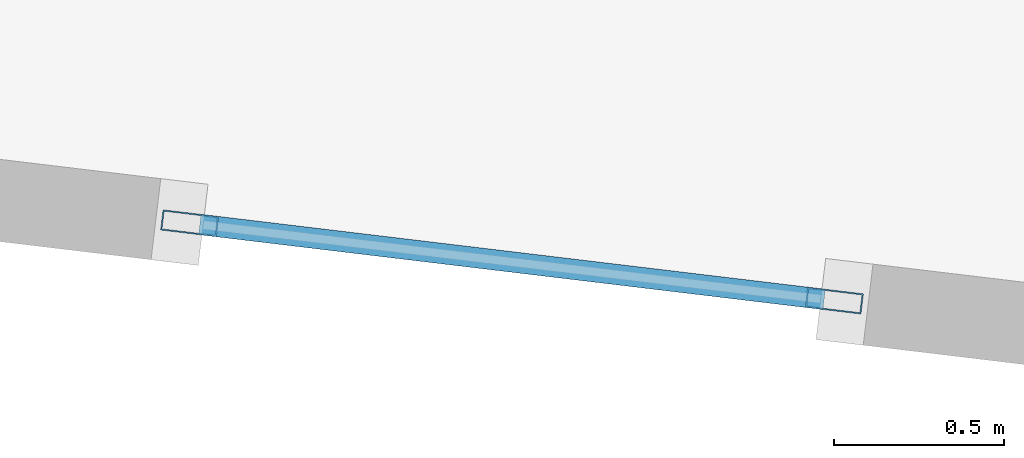
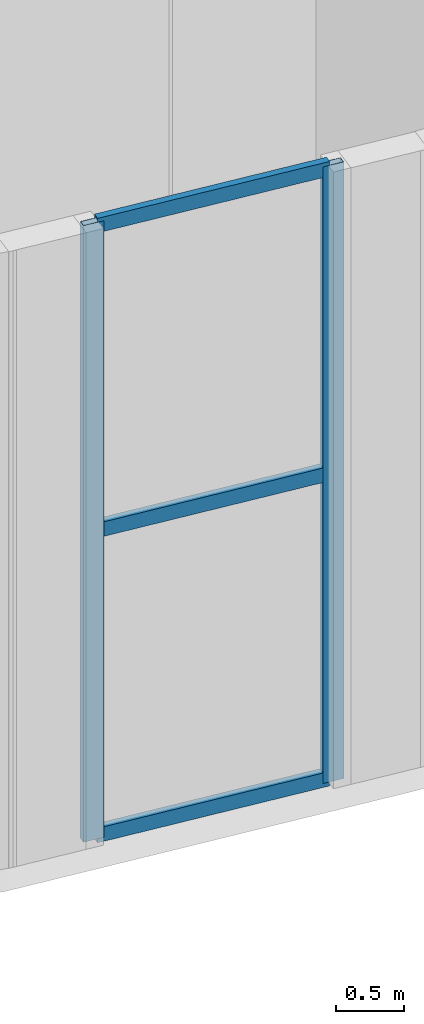
# One storey, part 2 of 16: 5 members, 1 element without a shape of its own.
"""IFC4 building model written with IfcOpenShell, lengths in metres."""

from ifc_helpers import new_model, si_unit, direction, frame, origin, origin_2d, place, context, subcontext, project, spatial, hollow_rectangle, extrude, material, layer, layer_set, material_profile, profile_set, type_object, element, aggregate, save


model = new_model("IFC4")

# Units and contexts
model_context = context("Model", 3, precision=1e-05, world=origin(), true_north=direction((0.0, 1.0)))
body_context = subcontext(model_context, "Body", "Model", "MODEL_VIEW")
ifc_project = project(units=[si_unit("LENGTHUNIT", "METRE"), si_unit("AREAUNIT", "SQUARE_METRE"), si_unit("VOLUMEUNIT", "CUBIC_METRE"), si_unit("PLANEANGLEUNIT", "RADIAN"), si_unit("MASSUNIT", "GRAM", prefix="KILO")], contexts=[model_context])

# Site, building, storey
site_placement = place(None, origin())
site = spatial("IfcSite", under=ifc_project, at=site_placement, CompositionType="ELEMENT")
building_placement = place(site_placement, origin())
building = spatial("IfcBuilding", under=site, at=building_placement, Name="Miruveldt Soraemaru", CompositionType="ELEMENT")
storey_placement = place(building_placement, frame((0.0, 0.0, 289.60009765625)))
storey = spatial("IfcBuildingStorey", under=building, at=storey_placement, Name="L78", CompositionType="ELEMENT", Elevation=289.60009765625)

# Curtain wall, members
ifc_material = material(Name="Anodised aluminium EN AW-6063 T6", Category="aluminium")
ifc_layer = layer(ifc_material, 0.1650390625, Name="Anodised aluminium EN AW-6063 T6", Category="aluminium")
ifc_layer_set = layer_set([ifc_layer], Name="Anodised aluminium EN AW-6063 T6")
curtain_wall_type = type_object("IfcCurtainWallType", Name="CW-SYS-5", PredefinedType="USERDEFINED", material=ifc_layer_set)
curtain_wall_placement = place(storey_placement, origin())
curtain_wall = element("IfcCurtainWall", 1, at=curtain_wall_placement, inside=storey, type_object=curtain_wall_type, Name="L78 Curtain Wall Bay 23", ObjectType="UNITISED GLAZING", PredefinedType="USERDEFINED")
ifc_material_profile_1 = material_profile(ifc_material, hollow_rectangle(XDim=0.06005859375, YDim=0.1650390625, WallThickness=0.00390625, at=origin_2d()), Name="Anodised aluminium EN AW-6063 T6", Category="aluminium")
ifc_profile_set_1 = profile_set([ifc_material_profile_1], Name="Anodised aluminium EN AW-6063 T6")
member_type_1 = type_object("IfcMemberType", Name="CWM-5", PredefinedType="MULLION", material=ifc_profile_set_1)
member_1_placement = place(storey_placement, frame((38.185791015625, 26.66552734375, 0.0), z_axis=(0.0, 0.0, 1.0), x_axis=(0.119161250582, 0.99287491476, 0.0)))
member_1 = element("IfcMember", 2, at=member_1_placement, type_object=member_type_1, Name="CW-5 mullion 1", PredefinedType="MULLION", context=body_context, shape_type="SweptSolid", body=[
    extrude(hollow_rectangle(XDim=0.06005859375, YDim=0.1650390625, WallThickness=0.00390625, at=origin_2d()), origin(), (0.0, 0.0, 1.0), 5.510009765625),
])
member_2_placement = place(storey_placement, frame((40.080322265625, 26.438232421875, 0.0), z_axis=(0.0, 0.0, 1.0), x_axis=(0.119161250582, 0.99287491476, 0.0)))
member_2 = element("IfcMember", 3, at=member_2_placement, type_object=member_type_1, Name="CW-5 mullion 2", PredefinedType="MULLION", context=body_context, shape_type="SweptSolid", body=[
    extrude(hollow_rectangle(XDim=0.06005859375, YDim=0.1650390625, WallThickness=0.00390625, at=origin_2d()), origin(), (0.0, 0.0, 1.0), 5.510009765625),
])
ifc_material_profile_2 = material_profile(ifc_material, hollow_rectangle(XDim=0.06005859375, YDim=0.1298828125, WallThickness=0.00390625, at=origin_2d()), Name="Anodised aluminium EN AW-6063 T6", Category="aluminium")
ifc_profile_set_2 = profile_set([ifc_material_profile_2], Name="Anodised aluminium EN AW-6063 T6")
member_type_2 = type_object("IfcMemberType", Name="CWT-5", PredefinedType="USERDEFINED", material=ifc_profile_set_2)
member_3_placement = place(storey_placement, frame((38.215576171875, 26.661865234375, 0.02978515625), z_axis=(0.992875588259, -0.119155638719, 0.0), x_axis=(0.119155638719, 0.992875588259, 0.0)))
member_3 = element("IfcMember", 4, at=member_3_placement, type_object=member_type_2, Name="CW-5 transom 1.1", ObjectType="TRANSOM", PredefinedType="USERDEFINED", context=body_context, shape_type="SweptSolid", body=[
    extrude(hollow_rectangle(XDim=0.06005859375, YDim=0.1298828125, WallThickness=0.00390625, at=origin_2d()), origin(), (0.0, 0.0, 1.0), 1.84814453125),
])
member_4_placement = place(storey_placement, frame((38.215576171875, 26.661865234375, 2.7548828125), z_axis=(0.992875588259, -0.119155638719, 0.0), x_axis=(0.119155638719, 0.992875588259, 0.0)))
member_4 = element("IfcMember", 5, at=member_4_placement, type_object=member_type_2, Name="CW-5 transom 1.2", ObjectType="TRANSOM", PredefinedType="USERDEFINED", context=body_context, shape_type="SweptSolid", body=[
    extrude(hollow_rectangle(XDim=0.06005859375, YDim=0.1298828125, WallThickness=0.00390625, at=origin_2d()), origin(), (0.0, 0.0, 1.0), 1.84814453125),
])
member_5_placement = place(storey_placement, frame((38.215576171875, 26.661865234375, 5.47998046875), z_axis=(0.992875588259, -0.119155638719, 0.0), x_axis=(0.119155638719, 0.992875588259, 0.0)))
member_5 = element("IfcMember", 6, at=member_5_placement, type_object=member_type_2, Name="CW-5 transom 1.3", ObjectType="TRANSOM", PredefinedType="USERDEFINED", context=body_context, shape_type="SweptSolid", body=[
    extrude(hollow_rectangle(XDim=0.06005859375, YDim=0.1298828125, WallThickness=0.00390625, at=origin_2d()), origin(), (0.0, 0.0, 1.0), 1.84814453125),
])
aggregate(curtain_wall, [member_1, member_2, member_3, member_4, member_5])

save(model, "model.ifc")
